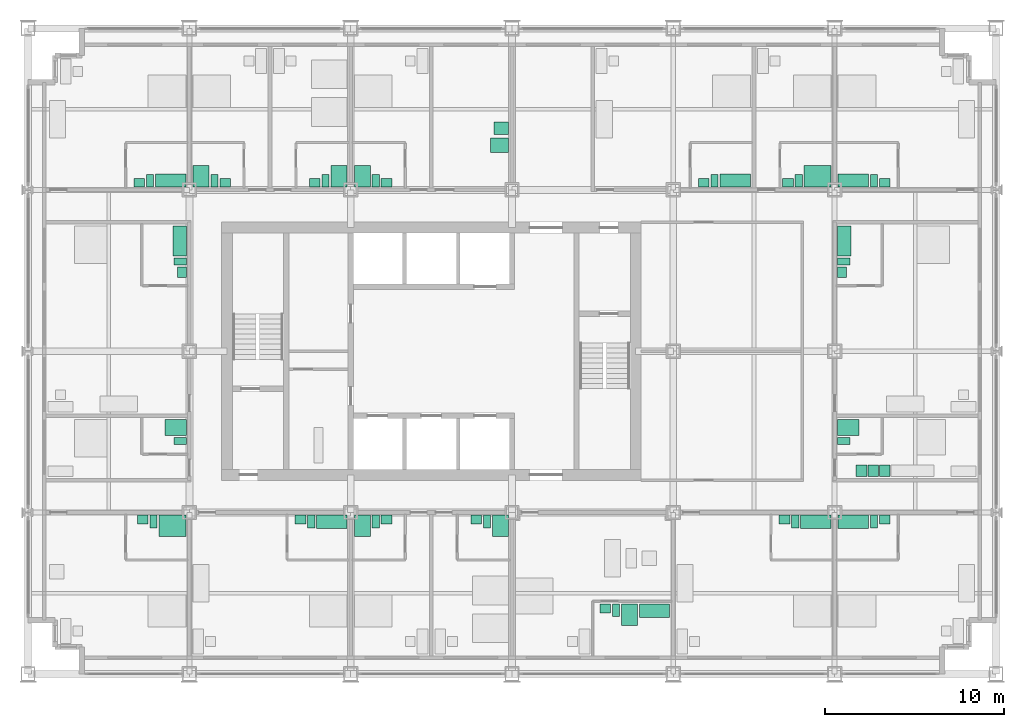
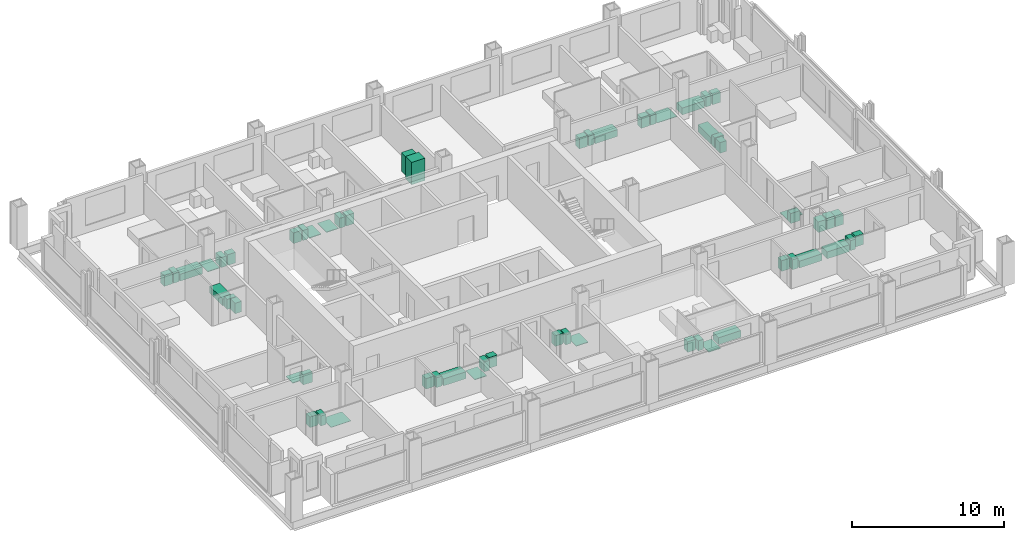
# One storey, part 17 of 18: 53 sanitary terminals, 5 electric appliances.
"""IFC4 building model written with IfcOpenShell, lengths in metres."""

from ifc_helpers import new_model, si_unit, direction, frame, origin, origin_2d, place, context, subcontext, project, spatial, rectangle, extrude, element, save


model = new_model("IFC4")

# Units and contexts
model_context = context("Model", 3, precision=1e-05, world=origin(), true_north=direction((0.0, 1.0)))
body_context = subcontext(model_context, "Body", "Model", "MODEL_VIEW")
ifc_project = project(units=[si_unit("LENGTHUNIT", "METRE"), si_unit("AREAUNIT", "SQUARE_METRE"), si_unit("VOLUMEUNIT", "CUBIC_METRE"), si_unit("PLANEANGLEUNIT", "RADIAN"), si_unit("MASSUNIT", "GRAM", prefix="KILO")], contexts=[model_context])

# Site, building, storey
site_placement = place(None, origin())
site = spatial("IfcSite", under=ifc_project, at=site_placement, CompositionType="ELEMENT")
building_placement = place(site_placement, origin())
building = spatial("IfcBuilding", under=site, at=building_placement, Name="Loomwork Tower", CompositionType="ELEMENT")
storey_placement = place(building_placement, frame((0.0, 0.0, 68.800048828125)))
storey = spatial("IfcBuildingStorey", under=building, at=storey_placement, Name="L17", CompositionType="ELEMENT", Elevation=68.800048828125)

# Sanitary terminals
sanitary_terminal_1_placement = place(storey_placement, frame((8.050048828125, 8.25, 0.0), z_axis=(0.0, 0.0, 1.0), x_axis=(1.0, 0.0, 0.0)))
element("IfcSanitaryTerminal", 1, at=sanitary_terminal_1_placement, inside=storey, Name="Roll-in shower floor L17", PredefinedType="SHOWER", context=body_context, shape_type="SweptSolid", body=[
    extrude(rectangle(XDim=1.5, YDim=1.199951171875, at=origin_2d()), origin(), (0.0, 0.0, 1.0), 0.030029296875),
])
sanitary_terminal_2_placement = place(storey_placement, frame((7.0, 8.5, 0.0), z_axis=(0.0, 0.0, 1.0), x_axis=(1.0, 0.0, 0.0)))
element("IfcSanitaryTerminal", 2, at=sanitary_terminal_2_placement, inside=storey, Name="WC L17", PredefinedType="TOILETPAN", context=body_context, shape_type="SweptSolid", body=[
    extrude(rectangle(XDim=0.39990234375, YDim=0.699951171875, at=origin_2d()), origin(), (0.0, 0.0, 1.0), 0.800048828125),
])
sanitary_terminal_3_placement = place(storey_placement, frame((6.39990234375, 8.60009765625, 0.0), z_axis=(0.0, 0.0, 1.0), x_axis=(1.0, 0.0, 0.0)))
element("IfcSanitaryTerminal", 3, at=sanitary_terminal_3_placement, inside=storey, Name="Basin vanity L17", PredefinedType="WASHHANDBASIN", context=body_context, shape_type="SweptSolid", body=[
    extrude(rectangle(XDim=0.60009765625, YDim=0.5, at=origin_2d()), origin(), (0.0, 0.0, 1.0), 0.85009765625),
])
sanitary_terminal_4_placement = place(storey_placement, frame((16.949951171875, 8.47509765625, 0.0), z_axis=(0.0, 0.0, 1.0), x_axis=(1.0, 0.0, 0.0)))
element("IfcSanitaryTerminal", 4, at=sanitary_terminal_4_placement, inside=storey, Name="Bath L17", PredefinedType="BATH", context=body_context, shape_type="SweptSolid", body=[
    extrude(rectangle(XDim=1.699951171875, YDim=0.75, at=origin_2d()), origin(), (0.0, 0.0, 1.0), 0.550048828125),
])
sanitary_terminal_5_placement = place(storey_placement, frame((15.800048828125, 8.5, 0.0), z_axis=(0.0, 0.0, 1.0), x_axis=(1.0, 0.0, 0.0)))
element("IfcSanitaryTerminal", 5, at=sanitary_terminal_5_placement, inside=storey, Name="WC L17", PredefinedType="TOILETPAN", context=body_context, shape_type="SweptSolid", body=[
    extrude(rectangle(XDim=0.39990234375, YDim=0.699951171875, at=origin_2d()), origin(), (0.0, 0.0, 1.0), 0.800048828125),
])
sanitary_terminal_6_placement = place(storey_placement, frame((15.199951171875, 8.60009765625, 0.0), z_axis=(0.0, 0.0, 1.0), x_axis=(1.0, 0.0, 0.0)))
element("IfcSanitaryTerminal", 6, at=sanitary_terminal_6_placement, inside=storey, Name="Basin vanity L17", PredefinedType="WASHHANDBASIN", context=body_context, shape_type="SweptSolid", body=[
    extrude(rectangle(XDim=0.60009765625, YDim=0.5, at=origin_2d()), origin(), (0.0, 0.0, 1.0), 0.85009765625),
])
sanitary_terminal_7_placement = place(storey_placement, frame((18.64990234375, 8.25, 0.0), z_axis=(0.0, 0.0, 1.0), x_axis=(1.0, 0.0, 0.0)))
element("IfcSanitaryTerminal", 7, at=sanitary_terminal_7_placement, inside=storey, Name="Shower tray L17", PredefinedType="SHOWER", context=body_context, shape_type="SweptSolid", body=[
    extrude(rectangle(XDim=0.89990234375, YDim=1.199951171875, at=origin_2d()), origin(), (0.0, 0.0, 1.0), 0.050048828125),
])
sanitary_terminal_8_placement = place(storey_placement, frame((19.39990234375, 8.5, 0.0), z_axis=(0.0, 0.0, 1.0), x_axis=(1.0, 0.0, 0.0)))
element("IfcSanitaryTerminal", 8, at=sanitary_terminal_8_placement, inside=storey, Name="WC L17", PredefinedType="TOILETPAN", context=body_context, shape_type="SweptSolid", body=[
    extrude(rectangle(XDim=0.39990234375, YDim=0.699951171875, at=origin_2d()), origin(), (0.0, 0.0, 1.0), 0.800048828125),
])
sanitary_terminal_9_placement = place(storey_placement, frame((20.0, 8.60009765625, 0.0), z_axis=(0.0, 0.0, 1.0), x_axis=(1.0, 0.0, 0.0)))
element("IfcSanitaryTerminal", 9, at=sanitary_terminal_9_placement, inside=storey, Name="Basin vanity L17", PredefinedType="WASHHANDBASIN", context=body_context, shape_type="SweptSolid", body=[
    extrude(rectangle(XDim=0.60009765625, YDim=0.5, at=origin_2d()), origin(), (0.0, 0.0, 1.0), 0.85009765625),
])
sanitary_terminal_10_placement = place(storey_placement, frame((26.35009765625, 8.25, 0.0), z_axis=(0.0, 0.0, 1.0), x_axis=(1.0, 0.0, 0.0)))
element("IfcSanitaryTerminal", 10, at=sanitary_terminal_10_placement, inside=storey, Name="Shower tray L17", PredefinedType="SHOWER", context=body_context, shape_type="SweptSolid", body=[
    extrude(rectangle(XDim=0.89990234375, YDim=1.199951171875, at=origin_2d()), origin(), (0.0, 0.0, 1.0), 0.050048828125),
])
sanitary_terminal_11_placement = place(storey_placement, frame((25.60009765625, 8.5, 0.0), z_axis=(0.0, 0.0, 1.0), x_axis=(1.0, 0.0, 0.0)))
element("IfcSanitaryTerminal", 11, at=sanitary_terminal_11_placement, inside=storey, Name="WC L17", PredefinedType="TOILETPAN", context=body_context, shape_type="SweptSolid", body=[
    extrude(rectangle(XDim=0.39990234375, YDim=0.699951171875, at=origin_2d()), origin(), (0.0, 0.0, 1.0), 0.800048828125),
])
sanitary_terminal_12_placement = place(storey_placement, frame((25.0, 8.60009765625, 0.0), z_axis=(0.0, 0.0, 1.0), x_axis=(1.0, 0.0, 0.0)))
element("IfcSanitaryTerminal", 12, at=sanitary_terminal_12_placement, inside=storey, Name="Basin vanity L17", PredefinedType="WASHHANDBASIN", context=body_context, shape_type="SweptSolid", body=[
    extrude(rectangle(XDim=0.60009765625, YDim=0.5, at=origin_2d()), origin(), (0.0, 0.0, 1.0), 0.85009765625),
])
sanitary_terminal_13_placement = place(storey_placement, frame((34.949951171875, 3.52490234375, 0.0), z_axis=(0.0, 0.0, 1.0), x_axis=(1.0, 0.0, 0.0)))
element("IfcSanitaryTerminal", 13, at=sanitary_terminal_13_placement, inside=storey, Name="Bath L17", PredefinedType="BATH", context=body_context, shape_type="SweptSolid", body=[
    extrude(rectangle(XDim=1.699951171875, YDim=0.75, at=origin_2d()), origin(), (0.0, 0.0, 1.0), 0.550048828125),
])
sanitary_terminal_14_placement = place(storey_placement, frame((33.550048828125, 3.300048828125, 0.0), z_axis=(0.0, 0.0, 1.0), x_axis=(1.0, 0.0, 0.0)))
element("IfcSanitaryTerminal", 14, at=sanitary_terminal_14_placement, inside=storey, Name="Shower tray L17", PredefinedType="SHOWER", context=body_context, shape_type="SweptSolid", body=[
    extrude(rectangle(XDim=0.89990234375, YDim=1.199951171875, at=origin_2d()), origin(), (0.0, 0.0, 1.0), 0.050048828125),
])
sanitary_terminal_15_placement = place(storey_placement, frame((32.800048828125, 3.550048828125, 0.0), z_axis=(0.0, 0.0, 1.0), x_axis=(1.0, 0.0, 0.0)))
element("IfcSanitaryTerminal", 15, at=sanitary_terminal_15_placement, inside=storey, Name="WC L17", PredefinedType="TOILETPAN", context=body_context, shape_type="SweptSolid", body=[
    extrude(rectangle(XDim=0.39990234375, YDim=0.699951171875, at=origin_2d()), origin(), (0.0, 0.0, 1.0), 0.800048828125),
])
sanitary_terminal_16_placement = place(storey_placement, frame((32.199951171875, 3.64990234375, 0.0), z_axis=(0.0, 0.0, 1.0), x_axis=(1.0, 0.0, 0.0)))
element("IfcSanitaryTerminal", 16, at=sanitary_terminal_16_placement, inside=storey, Name="Basin vanity L17", PredefinedType="WASHHANDBASIN", context=body_context, shape_type="SweptSolid", body=[
    extrude(rectangle(XDim=0.60009765625, YDim=0.5, at=origin_2d()), origin(), (0.0, 0.0, 1.0), 0.85009765625),
])
sanitary_terminal_17_placement = place(storey_placement, frame((43.949951171875, 8.47509765625, 0.0), z_axis=(0.0, 0.0, 1.0), x_axis=(1.0, 0.0, 0.0)))
element("IfcSanitaryTerminal", 17, at=sanitary_terminal_17_placement, inside=storey, Name="Bath L17", PredefinedType="BATH", context=body_context, shape_type="SweptSolid", body=[
    extrude(rectangle(XDim=1.699951171875, YDim=0.75, at=origin_2d()), origin(), (0.0, 0.0, 1.0), 0.550048828125),
])
sanitary_terminal_18_placement = place(storey_placement, frame((42.800048828125, 8.5, 0.0), z_axis=(0.0, 0.0, 1.0), x_axis=(1.0, 0.0, 0.0)))
element("IfcSanitaryTerminal", 18, at=sanitary_terminal_18_placement, inside=storey, Name="WC L17", PredefinedType="TOILETPAN", context=body_context, shape_type="SweptSolid", body=[
    extrude(rectangle(XDim=0.39990234375, YDim=0.699951171875, at=origin_2d()), origin(), (0.0, 0.0, 1.0), 0.800048828125),
])
sanitary_terminal_19_placement = place(storey_placement, frame((42.199951171875, 8.60009765625, 0.0), z_axis=(0.0, 0.0, 1.0), x_axis=(1.0, 0.0, 0.0)))
element("IfcSanitaryTerminal", 19, at=sanitary_terminal_19_placement, inside=storey, Name="Basin vanity L17", PredefinedType="WASHHANDBASIN", context=body_context, shape_type="SweptSolid", body=[
    extrude(rectangle(XDim=0.60009765625, YDim=0.5, at=origin_2d()), origin(), (0.0, 0.0, 1.0), 0.85009765625),
])
sanitary_terminal_20_placement = place(storey_placement, frame((46.050048828125, 8.47509765625, 0.0), z_axis=(0.0, 0.0, 1.0), x_axis=(1.0, 0.0, 0.0)))
element("IfcSanitaryTerminal", 20, at=sanitary_terminal_20_placement, inside=storey, Name="Bath L17", PredefinedType="BATH", context=body_context, shape_type="SweptSolid", body=[
    extrude(rectangle(XDim=1.699951171875, YDim=0.75, at=origin_2d()), origin(), (0.0, 0.0, 1.0), 0.550048828125),
])
sanitary_terminal_21_placement = place(storey_placement, frame((47.199951171875, 8.5, 0.0), z_axis=(0.0, 0.0, 1.0), x_axis=(1.0, 0.0, 0.0)))
element("IfcSanitaryTerminal", 21, at=sanitary_terminal_21_placement, inside=storey, Name="WC L17", PredefinedType="TOILETPAN", context=body_context, shape_type="SweptSolid", body=[
    extrude(rectangle(XDim=0.39990234375, YDim=0.699951171875, at=origin_2d()), origin(), (0.0, 0.0, 1.0), 0.800048828125),
])
sanitary_terminal_22_placement = place(storey_placement, frame((47.800048828125, 8.60009765625, 0.0), z_axis=(0.0, 0.0, 1.0), x_axis=(1.0, 0.0, 0.0)))
element("IfcSanitaryTerminal", 22, at=sanitary_terminal_22_placement, inside=storey, Name="Basin vanity L17", PredefinedType="WASHHANDBASIN", context=body_context, shape_type="SweptSolid", body=[
    extrude(rectangle(XDim=0.60009765625, YDim=0.5, at=origin_2d()), origin(), (0.0, 0.0, 1.0), 0.85009765625),
])
sanitary_terminal_23_placement = place(storey_placement, frame((7.949951171875, 27.52490234375, 0.0), z_axis=(0.0, 0.0, 1.0), x_axis=(1.0, 0.0, 0.0)))
element("IfcSanitaryTerminal", 23, at=sanitary_terminal_23_placement, inside=storey, Name="Bath L17", PredefinedType="BATH", context=body_context, shape_type="SweptSolid", body=[
    extrude(rectangle(XDim=1.699951171875, YDim=0.75, at=origin_2d()), origin(), (0.0, 0.0, 1.0), 0.550048828125),
])
sanitary_terminal_24_placement = place(storey_placement, frame((6.800048828125, 27.5, 0.0), z_axis=(0.0, 0.0, 1.0), x_axis=(1.0, 0.0, 0.0)))
element("IfcSanitaryTerminal", 24, at=sanitary_terminal_24_placement, inside=storey, Name="WC L17", PredefinedType="TOILETPAN", context=body_context, shape_type="SweptSolid", body=[
    extrude(rectangle(XDim=0.39990234375, YDim=0.699951171875, at=origin_2d()), origin(), (0.0, 0.0, 1.0), 0.800048828125),
])
sanitary_terminal_25_placement = place(storey_placement, frame((6.199951171875, 27.39990234375, 0.0), z_axis=(0.0, 0.0, 1.0), x_axis=(1.0, 0.0, 0.0)))
element("IfcSanitaryTerminal", 25, at=sanitary_terminal_25_placement, inside=storey, Name="Basin vanity L17", PredefinedType="WASHHANDBASIN", context=body_context, shape_type="SweptSolid", body=[
    extrude(rectangle(XDim=0.60009765625, YDim=0.5, at=origin_2d()), origin(), (0.0, 0.0, 1.0), 0.85009765625),
])
sanitary_terminal_26_placement = place(storey_placement, frame((9.64990234375, 27.75, 0.0), z_axis=(0.0, 0.0, 1.0), x_axis=(1.0, 0.0, 0.0)))
element("IfcSanitaryTerminal", 26, at=sanitary_terminal_26_placement, inside=storey, Name="Shower tray L17", PredefinedType="SHOWER", context=body_context, shape_type="SweptSolid", body=[
    extrude(rectangle(XDim=0.89990234375, YDim=1.199951171875, at=origin_2d()), origin(), (0.0, 0.0, 1.0), 0.050048828125),
])
sanitary_terminal_27_placement = place(storey_placement, frame((10.39990234375, 27.5, 0.0), z_axis=(0.0, 0.0, 1.0), x_axis=(1.0, 0.0, 0.0)))
element("IfcSanitaryTerminal", 27, at=sanitary_terminal_27_placement, inside=storey, Name="WC L17", PredefinedType="TOILETPAN", context=body_context, shape_type="SweptSolid", body=[
    extrude(rectangle(XDim=0.39990234375, YDim=0.699951171875, at=origin_2d()), origin(), (0.0, 0.0, 1.0), 0.800048828125),
])
sanitary_terminal_28_placement = place(storey_placement, frame((11.0, 27.39990234375, 0.0), z_axis=(0.0, 0.0, 1.0), x_axis=(1.0, 0.0, 0.0)))
element("IfcSanitaryTerminal", 28, at=sanitary_terminal_28_placement, inside=storey, Name="Basin vanity L17", PredefinedType="WASHHANDBASIN", context=body_context, shape_type="SweptSolid", body=[
    extrude(rectangle(XDim=0.60009765625, YDim=0.5, at=origin_2d()), origin(), (0.0, 0.0, 1.0), 0.85009765625),
])
sanitary_terminal_29_placement = place(storey_placement, frame((17.35009765625, 27.75, 0.0), z_axis=(0.0, 0.0, 1.0), x_axis=(1.0, 0.0, 0.0)))
element("IfcSanitaryTerminal", 29, at=sanitary_terminal_29_placement, inside=storey, Name="Shower tray L17", PredefinedType="SHOWER", context=body_context, shape_type="SweptSolid", body=[
    extrude(rectangle(XDim=0.89990234375, YDim=1.199951171875, at=origin_2d()), origin(), (0.0, 0.0, 1.0), 0.050048828125),
])
sanitary_terminal_30_placement = place(storey_placement, frame((16.60009765625, 27.5, 0.0), z_axis=(0.0, 0.0, 1.0), x_axis=(1.0, 0.0, 0.0)))
element("IfcSanitaryTerminal", 30, at=sanitary_terminal_30_placement, inside=storey, Name="WC L17", PredefinedType="TOILETPAN", context=body_context, shape_type="SweptSolid", body=[
    extrude(rectangle(XDim=0.39990234375, YDim=0.699951171875, at=origin_2d()), origin(), (0.0, 0.0, 1.0), 0.800048828125),
])
sanitary_terminal_31_placement = place(storey_placement, frame((16.0, 27.39990234375, 0.0), z_axis=(0.0, 0.0, 1.0), x_axis=(1.0, 0.0, 0.0)))
element("IfcSanitaryTerminal", 31, at=sanitary_terminal_31_placement, inside=storey, Name="Basin vanity L17", PredefinedType="WASHHANDBASIN", context=body_context, shape_type="SweptSolid", body=[
    extrude(rectangle(XDim=0.60009765625, YDim=0.5, at=origin_2d()), origin(), (0.0, 0.0, 1.0), 0.85009765625),
])
sanitary_terminal_32_placement = place(storey_placement, frame((18.64990234375, 27.75, 0.0), z_axis=(0.0, 0.0, 1.0), x_axis=(1.0, 0.0, 0.0)))
element("IfcSanitaryTerminal", 32, at=sanitary_terminal_32_placement, inside=storey, Name="Shower tray L17", PredefinedType="SHOWER", context=body_context, shape_type="SweptSolid", body=[
    extrude(rectangle(XDim=0.89990234375, YDim=1.199951171875, at=origin_2d()), origin(), (0.0, 0.0, 1.0), 0.050048828125),
])
sanitary_terminal_33_placement = place(storey_placement, frame((19.39990234375, 27.5, 0.0), z_axis=(0.0, 0.0, 1.0), x_axis=(1.0, 0.0, 0.0)))
element("IfcSanitaryTerminal", 33, at=sanitary_terminal_33_placement, inside=storey, Name="WC L17", PredefinedType="TOILETPAN", context=body_context, shape_type="SweptSolid", body=[
    extrude(rectangle(XDim=0.39990234375, YDim=0.699951171875, at=origin_2d()), origin(), (0.0, 0.0, 1.0), 0.800048828125),
])
sanitary_terminal_34_placement = place(storey_placement, frame((20.0, 27.39990234375, 0.0), z_axis=(0.0, 0.0, 1.0), x_axis=(1.0, 0.0, 0.0)))
element("IfcSanitaryTerminal", 34, at=sanitary_terminal_34_placement, inside=storey, Name="Basin vanity L17", PredefinedType="WASHHANDBASIN", context=body_context, shape_type="SweptSolid", body=[
    extrude(rectangle(XDim=0.60009765625, YDim=0.5, at=origin_2d()), origin(), (0.0, 0.0, 1.0), 0.85009765625),
])

# Electric appliances
electric_appliance_1_placement = place(storey_placement, frame((26.300048828125, 29.5, 0.0), z_axis=(0.0, 0.0, 1.0), x_axis=(1.0, 0.0, 0.0)))
element("IfcElectricAppliance", 35, at=electric_appliance_1_placement, inside=storey, Name="Vending machine L17", PredefinedType="VENDINGMACHINE", context=body_context, shape_type="SweptSolid", body=[
    extrude(rectangle(XDim=1.0, YDim=0.800048828125, at=origin_2d()), origin(), (0.0, 0.0, 1.0), 1.800048828125),
])
electric_appliance_2_placement = place(storey_placement, frame((26.39990234375, 30.449951171875, 0.0), z_axis=(0.0, 0.0, 1.0), x_axis=(1.0, 0.0, 0.0)))
element("IfcElectricAppliance", 36, at=electric_appliance_2_placement, inside=storey, Name="Ice machine L17", PredefinedType="FREEZER", context=body_context, shape_type="SweptSolid", body=[
    extrude(rectangle(XDim=0.800048828125, YDim=0.699951171875, at=origin_2d()), origin(), (0.0, 0.0, 1.0), 1.5),
])

# Sanitary terminals
sanitary_terminal_35_placement = place(storey_placement, frame((39.449951171875, 27.52490234375, 0.0), z_axis=(0.0, 0.0, 1.0), x_axis=(1.0, 0.0, 0.0)))
element("IfcSanitaryTerminal", 37, at=sanitary_terminal_35_placement, inside=storey, Name="Bath L17", PredefinedType="BATH", context=body_context, shape_type="SweptSolid", body=[
    extrude(rectangle(XDim=1.699951171875, YDim=0.75, at=origin_2d()), origin(), (0.0, 0.0, 1.0), 0.550048828125),
])
sanitary_terminal_36_placement = place(storey_placement, frame((38.300048828125, 27.5, 0.0), z_axis=(0.0, 0.0, 1.0), x_axis=(1.0, 0.0, 0.0)))
element("IfcSanitaryTerminal", 38, at=sanitary_terminal_36_placement, inside=storey, Name="WC L17", PredefinedType="TOILETPAN", context=body_context, shape_type="SweptSolid", body=[
    extrude(rectangle(XDim=0.39990234375, YDim=0.699951171875, at=origin_2d()), origin(), (0.0, 0.0, 1.0), 0.800048828125),
])
sanitary_terminal_37_placement = place(storey_placement, frame((37.699951171875, 27.39990234375, 0.0), z_axis=(0.0, 0.0, 1.0), x_axis=(1.0, 0.0, 0.0)))
element("IfcSanitaryTerminal", 39, at=sanitary_terminal_37_placement, inside=storey, Name="Basin vanity L17", PredefinedType="WASHHANDBASIN", context=body_context, shape_type="SweptSolid", body=[
    extrude(rectangle(XDim=0.60009765625, YDim=0.5, at=origin_2d()), origin(), (0.0, 0.0, 1.0), 0.85009765625),
])
sanitary_terminal_38_placement = place(storey_placement, frame((44.050048828125, 27.75, 0.0), z_axis=(0.0, 0.0, 1.0), x_axis=(1.0, 0.0, 0.0)))
element("IfcSanitaryTerminal", 40, at=sanitary_terminal_38_placement, inside=storey, Name="Roll-in shower floor L17", PredefinedType="SHOWER", context=body_context, shape_type="SweptSolid", body=[
    extrude(rectangle(XDim=1.5, YDim=1.199951171875, at=origin_2d()), origin(), (0.0, 0.0, 1.0), 0.030029296875),
])
sanitary_terminal_39_placement = place(storey_placement, frame((43.0, 27.5, 0.0), z_axis=(0.0, 0.0, 1.0), x_axis=(1.0, 0.0, 0.0)))
element("IfcSanitaryTerminal", 41, at=sanitary_terminal_39_placement, inside=storey, Name="WC L17", PredefinedType="TOILETPAN", context=body_context, shape_type="SweptSolid", body=[
    extrude(rectangle(XDim=0.39990234375, YDim=0.699951171875, at=origin_2d()), origin(), (0.0, 0.0, 1.0), 0.800048828125),
])
sanitary_terminal_40_placement = place(storey_placement, frame((42.39990234375, 27.39990234375, 0.0), z_axis=(0.0, 0.0, 1.0), x_axis=(1.0, 0.0, 0.0)))
element("IfcSanitaryTerminal", 42, at=sanitary_terminal_40_placement, inside=storey, Name="Basin vanity L17", PredefinedType="WASHHANDBASIN", context=body_context, shape_type="SweptSolid", body=[
    extrude(rectangle(XDim=0.60009765625, YDim=0.5, at=origin_2d()), origin(), (0.0, 0.0, 1.0), 0.85009765625),
])
sanitary_terminal_41_placement = place(storey_placement, frame((46.050048828125, 27.52490234375, 0.0), z_axis=(0.0, 0.0, 1.0), x_axis=(1.0, 0.0, 0.0)))
element("IfcSanitaryTerminal", 43, at=sanitary_terminal_41_placement, inside=storey, Name="Bath L17", PredefinedType="BATH", context=body_context, shape_type="SweptSolid", body=[
    extrude(rectangle(XDim=1.699951171875, YDim=0.75, at=origin_2d()), origin(), (0.0, 0.0, 1.0), 0.550048828125),
])
sanitary_terminal_42_placement = place(storey_placement, frame((47.199951171875, 27.5, 0.0), z_axis=(0.0, 0.0, 1.0), x_axis=(1.0, 0.0, 0.0)))
element("IfcSanitaryTerminal", 44, at=sanitary_terminal_42_placement, inside=storey, Name="WC L17", PredefinedType="TOILETPAN", context=body_context, shape_type="SweptSolid", body=[
    extrude(rectangle(XDim=0.39990234375, YDim=0.699951171875, at=origin_2d()), origin(), (0.0, 0.0, 1.0), 0.800048828125),
])
sanitary_terminal_43_placement = place(storey_placement, frame((47.800048828125, 27.39990234375, 0.0), z_axis=(0.0, 0.0, 1.0), x_axis=(1.0, 0.0, 0.0)))
element("IfcSanitaryTerminal", 45, at=sanitary_terminal_43_placement, inside=storey, Name="Basin vanity L17", PredefinedType="WASHHANDBASIN", context=body_context, shape_type="SweptSolid", body=[
    extrude(rectangle(XDim=0.60009765625, YDim=0.5, at=origin_2d()), origin(), (0.0, 0.0, 1.0), 0.85009765625),
])
sanitary_terminal_44_placement = place(storey_placement, frame((8.25, 13.75, 0.0), z_axis=(0.0, 0.0, 1.0), x_axis=(1.0, 0.0, 0.0)))
element("IfcSanitaryTerminal", 46, at=sanitary_terminal_44_placement, inside=storey, Name="Shower tray L17", PredefinedType="SHOWER", context=body_context, shape_type="SweptSolid", body=[
    extrude(rectangle(XDim=1.199951171875, YDim=0.89990234375, at=origin_2d()), origin(), (0.0, 0.0, 1.0), 0.050048828125),
])
sanitary_terminal_45_placement = place(storey_placement, frame((8.5, 13.0, 0.0), z_axis=(0.0, 0.0, 1.0), x_axis=(1.0, 0.0, 0.0)))
element("IfcSanitaryTerminal", 47, at=sanitary_terminal_45_placement, inside=storey, Name="WC L17", PredefinedType="TOILETPAN", context=body_context, shape_type="SweptSolid", body=[
    extrude(rectangle(XDim=0.699951171875, YDim=0.39990234375, at=origin_2d()), origin(), (0.0, 0.0, 1.0), 0.800048828125),
])
sanitary_terminal_46_placement = place(storey_placement, frame((8.47509765625, 24.14990234375, 0.0), z_axis=(0.0, 0.0, 1.0), x_axis=(1.0, 0.0, 0.0)))
element("IfcSanitaryTerminal", 48, at=sanitary_terminal_46_placement, inside=storey, Name="Bath L17", PredefinedType="BATH", context=body_context, shape_type="SweptSolid", body=[
    extrude(rectangle(XDim=0.75, YDim=1.699951171875, at=origin_2d()), origin(), (0.0, 0.0, 1.0), 0.550048828125),
])
sanitary_terminal_47_placement = place(storey_placement, frame((8.5, 23.0, 0.0), z_axis=(0.0, 0.0, 1.0), x_axis=(1.0, 0.0, 0.0)))
element("IfcSanitaryTerminal", 49, at=sanitary_terminal_47_placement, inside=storey, Name="WC L17", PredefinedType="TOILETPAN", context=body_context, shape_type="SweptSolid", body=[
    extrude(rectangle(XDim=0.699951171875, YDim=0.39990234375, at=origin_2d()), origin(), (0.0, 0.0, 1.0), 0.800048828125),
])
sanitary_terminal_48_placement = place(storey_placement, frame((8.60009765625, 22.39990234375, 0.0), z_axis=(0.0, 0.0, 1.0), x_axis=(1.0, 0.0, 0.0)))
element("IfcSanitaryTerminal", 50, at=sanitary_terminal_48_placement, inside=storey, Name="Basin vanity L17", PredefinedType="WASHHANDBASIN", context=body_context, shape_type="SweptSolid", body=[
    extrude(rectangle(XDim=0.5, YDim=0.60009765625, at=origin_2d()), origin(), (0.0, 0.0, 1.0), 0.85009765625),
])
sanitary_terminal_49_placement = place(storey_placement, frame((45.75, 13.75, 0.0), z_axis=(0.0, 0.0, 1.0), x_axis=(1.0, 0.0, 0.0)))
element("IfcSanitaryTerminal", 51, at=sanitary_terminal_49_placement, inside=storey, Name="Shower tray L17", PredefinedType="SHOWER", context=body_context, shape_type="SweptSolid", body=[
    extrude(rectangle(XDim=1.199951171875, YDim=0.89990234375, at=origin_2d()), origin(), (0.0, 0.0, 1.0), 0.050048828125),
])
sanitary_terminal_50_placement = place(storey_placement, frame((45.5, 13.0, 0.0), z_axis=(0.0, 0.0, 1.0), x_axis=(1.0, 0.0, 0.0)))
element("IfcSanitaryTerminal", 52, at=sanitary_terminal_50_placement, inside=storey, Name="WC L17", PredefinedType="TOILETPAN", context=body_context, shape_type="SweptSolid", body=[
    extrude(rectangle(XDim=0.699951171875, YDim=0.39990234375, at=origin_2d()), origin(), (0.0, 0.0, 1.0), 0.800048828125),
])

# Electric appliances
electric_appliance_3_placement = place(storey_placement, frame((46.5, 11.324951171875, 0.0), z_axis=(0.0, 0.0, 1.0), x_axis=(1.0, 0.0, 0.0)))
element("IfcElectricAppliance", 53, at=electric_appliance_3_placement, inside=storey, Name="Refrigerator L17", PredefinedType="REFRIGERATOR", context=body_context, shape_type="SweptSolid", body=[
    extrude(rectangle(XDim=0.60009765625, YDim=0.64990234375, at=origin_2d()), origin(), (0.0, 0.0, 1.0), 0.85009765625),
])
electric_appliance_4_placement = place(storey_placement, frame((47.14990234375, 11.324951171875, 0.0), z_axis=(0.0, 0.0, 1.0), x_axis=(1.0, 0.0, 0.0)))
element("IfcElectricAppliance", 54, at=electric_appliance_4_placement, inside=storey, Name="Two-ring cooktop and oven L17", PredefinedType="ELECTRICCOOKER", context=body_context, shape_type="SweptSolid", body=[
    extrude(rectangle(XDim=0.60009765625, YDim=0.64990234375, at=origin_2d()), origin(), (0.0, 0.0, 1.0), 0.89990234375),
])
electric_appliance_5_placement = place(storey_placement, frame((47.800048828125, 11.324951171875, 0.0), z_axis=(0.0, 0.0, 1.0), x_axis=(1.0, 0.0, 0.0)))
element("IfcElectricAppliance", 55, at=electric_appliance_5_placement, inside=storey, Name="Dishwasher L17", PredefinedType="DISHWASHER", context=body_context, shape_type="SweptSolid", body=[
    extrude(rectangle(XDim=0.60009765625, YDim=0.64990234375, at=origin_2d()), origin(), (0.0, 0.0, 1.0), 0.85009765625),
])

# Sanitary terminals
sanitary_terminal_51_placement = place(storey_placement, frame((45.52490234375, 24.14990234375, 0.0), z_axis=(0.0, 0.0, 1.0), x_axis=(1.0, 0.0, 0.0)))
element("IfcSanitaryTerminal", 56, at=sanitary_terminal_51_placement, inside=storey, Name="Bath L17", PredefinedType="BATH", context=body_context, shape_type="SweptSolid", body=[
    extrude(rectangle(XDim=0.75, YDim=1.699951171875, at=origin_2d()), origin(), (0.0, 0.0, 1.0), 0.550048828125),
])
sanitary_terminal_52_placement = place(storey_placement, frame((45.5, 23.0, 0.0), z_axis=(0.0, 0.0, 1.0), x_axis=(1.0, 0.0, 0.0)))
element("IfcSanitaryTerminal", 57, at=sanitary_terminal_52_placement, inside=storey, Name="WC L17", PredefinedType="TOILETPAN", context=body_context, shape_type="SweptSolid", body=[
    extrude(rectangle(XDim=0.699951171875, YDim=0.39990234375, at=origin_2d()), origin(), (0.0, 0.0, 1.0), 0.800048828125),
])
sanitary_terminal_53_placement = place(storey_placement, frame((45.39990234375, 22.39990234375, 0.0), z_axis=(0.0, 0.0, 1.0), x_axis=(1.0, 0.0, 0.0)))
element("IfcSanitaryTerminal", 58, at=sanitary_terminal_53_placement, inside=storey, Name="Basin vanity L17", PredefinedType="WASHHANDBASIN", context=body_context, shape_type="SweptSolid", body=[
    extrude(rectangle(XDim=0.5, YDim=0.60009765625, at=origin_2d()), origin(), (0.0, 0.0, 1.0), 0.85009765625),
])

save(model, "model.ifc")
